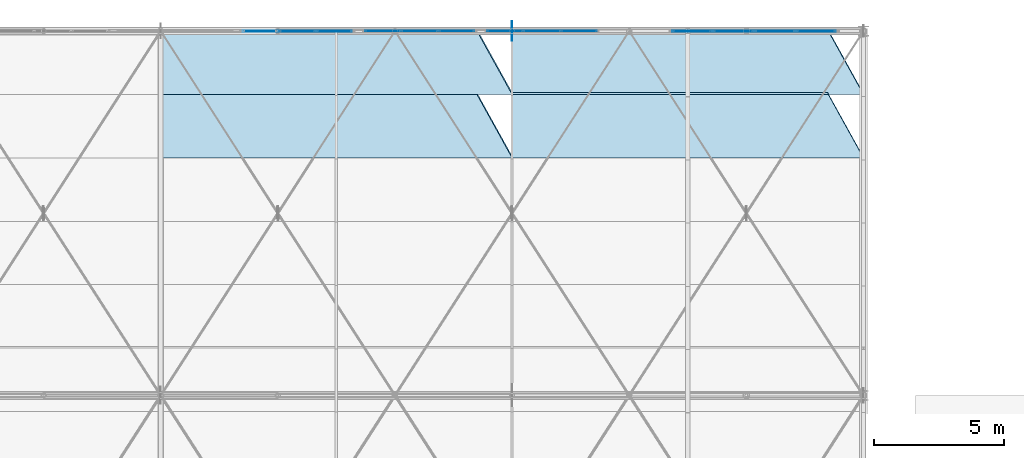
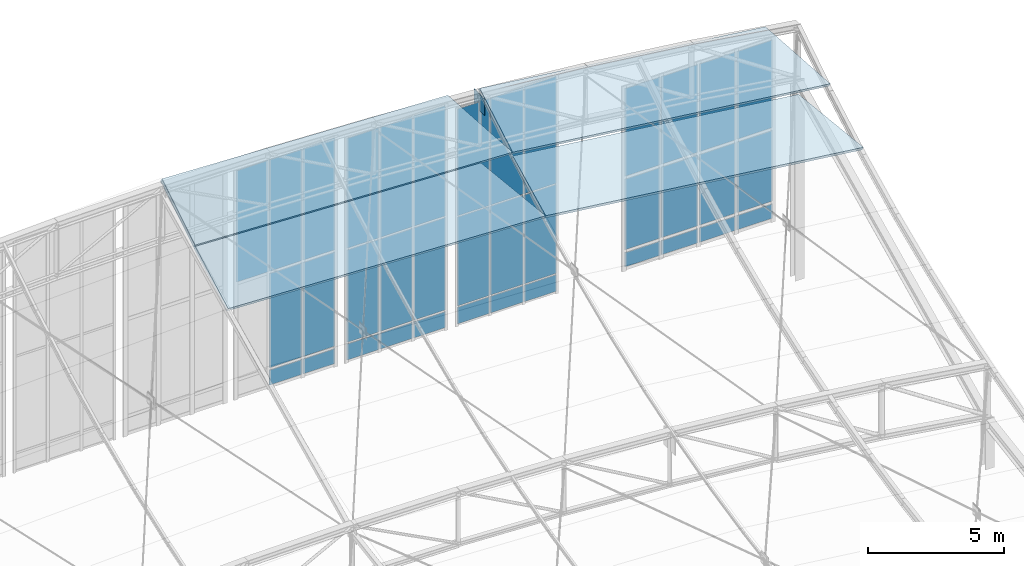
# One storey, part 237 of 262: 38 plates, 4 slabs, 4 elements without a shape of their own.
"""IFC4 building model written with IfcOpenShell, lengths in metres."""

import ifcopenshell
import ifcopenshell.guid

model = None  # the IFC model being written
_history = None  # IfcOwnerHistory: only IFC2X3 demands one
_inside = {}  # id of a spatial element -> (the spatial element, [elements in it])
_under = {}  # id of a project, library or spatial element -> (it, [spatial elements below it])
_declared = {}  # id of a project -> (the project, [libraries it declares])
_typed = {}  # id of a type object -> (the type object, [elements of that type])
_made_of = {}  # id of a material, layer set ... -> (it, [elements and type objects made of it])


def new_model(schema):
    """Start an empty IFC model of exactly this schema.

    Asked for "IFC4X3", IfcOpenShell would pick the latest addendum, in which some entities
    have other attributes; the version numbers below select the first issue.
    IFC2X3 requires an IfcOwnerHistory on every rooted entity: one is made here for all.
    """
    global model, _history
    if schema == "IFC4X3":
        model = ifcopenshell.file(schema_version=(4, 3, 0, 0))
    else:
        model = ifcopenshell.file(schema=schema)
    _inside.clear()
    _under.clear()
    _declared.clear()
    _typed.clear()
    _made_of.clear()
    _history = None
    if model.schema == "IFC2X3":
        org = make("IfcOrganization", Name="unknown")
        user = make(
            "IfcPersonAndOrganization",
            ThePerson=make("IfcPerson", FamilyName="unknown"),
            TheOrganization=org,
        )
        app = make(
            "IfcApplication",
            ApplicationDeveloper=org,
            Version="unknown",
            ApplicationFullName="unknown",
            ApplicationIdentifier="unknown",
        )
        _history = make(
            "IfcOwnerHistory",
            OwningUser=user,
            OwningApplication=app,
            ChangeAction="ADDED",
            CreationDate=0,
        )
    return model


def make(cls, **values):
    """One entity of the class cls with the attributes given. An attribute that is None is left unset."""
    return model.create_entity(
        cls, **{name: value for name, value in values.items() if value is not None}
    )


def rooted(cls, **values):
    """An entity with a GlobalId (a new one), such as an element, a storey or a relation."""
    return make(cls, GlobalId=ifcopenshell.guid.new(), OwnerHistory=_history, **values)


def si_unit(unit_type, name, prefix=None):
    """IfcSIUnit, for example si_unit("LENGTHUNIT", "METRE", prefix="MILLI")."""
    return make("IfcSIUnit", UnitType=unit_type, Prefix=prefix, Name=name)


def derived_unit(unit_type, elements):
    """IfcDerivedUnit: a product of units, each with its exponent."""
    return make(
        "IfcDerivedUnit",
        Elements=[
            make("IfcDerivedUnitElement", Unit=unit, Exponent=power)
            for unit, power in elements
        ],
        UnitType=unit_type,
    )


def assignment(units):
    """IfcUnitAssignment: the units of a project."""
    return None if units is None else make("IfcUnitAssignment", Units=units)


def point(xyz):
    """IfcCartesianPoint."""
    return None if xyz is None else make("IfcCartesianPoint", Coordinates=xyz)


def direction(xyz):
    """IfcDirection."""
    return None if xyz is None else make("IfcDirection", DirectionRatios=xyz)


def frame(location, z_axis=None, x_axis=None):
    """IfcAxis2Placement3D, a coordinate frame: its origin and axes. An axis left out is left unset."""
    return make(
        "IfcAxis2Placement3D",
        Location=point(location),
        Axis=direction(z_axis),
        RefDirection=direction(x_axis),
    )


def frame_2d(location, x_axis=None):
    """IfcAxis2Placement2D, a coordinate frame in the plane: its origin and x axis."""
    return make(
        "IfcAxis2Placement2D", Location=point(location), RefDirection=direction(x_axis)
    )


def origin():
    """The frame at (0, 0, 0) with its axes left unset."""
    return frame((0.0, 0.0, 0.0))


def origin_2d():
    """The frame at (0, 0) in the plane with its x axis left unset."""
    return frame_2d((0.0, 0.0))


def place(relative_to, where):
    """IfcLocalPlacement: puts the frame where relative to a parent placement (None: the world)."""
    return make(
        "IfcLocalPlacement", PlacementRelTo=relative_to, RelativePlacement=where
    )


def context(
    kind, dimensions, precision=None, world=None, true_north=None, identifier=None
):
    """IfcGeometricRepresentationContext, for example the 3D "Model" context."""
    return make(
        "IfcGeometricRepresentationContext",
        ContextIdentifier=identifier,
        ContextType=kind,
        CoordinateSpaceDimension=dimensions,
        Precision=precision,
        WorldCoordinateSystem=world,
        TrueNorth=true_north,
    )


def subcontext(parent, identifier, kind, view, scale=None):
    """IfcGeometricRepresentationSubContext, for example "Body" below "Model"."""
    return make(
        "IfcGeometricRepresentationSubContext",
        ContextIdentifier=identifier,
        ContextType=kind,
        ParentContext=parent,
        TargetScale=scale,
        TargetView=view,
    )


def project(units=None, contexts=None):
    """IfcProject with its units and contexts."""
    return rooted(
        "IfcProject",
        Name="project",
        RepresentationContexts=contexts,
        UnitsInContext=assignment(units),
    )


def spatial(cls, under=None, at=None, **own):
    """A site, building, storey or space (cls), placed at a placement, below another one or the project."""
    s = rooted(cls, ObjectPlacement=at, **own)
    if under is not None:
        _under.setdefault(under.id(), (under, []))[1].append(s)
    return s


def polyline(points):
    """IfcPolyline through the points."""
    return make("IfcPolyline", Points=[point(p) for p in points])


def profile(cls, at=None, kind="AREA", **sizes):
    """A parametric profile (cls). Its sizes go by their IFC names, for example OverallWidth=200.0."""
    return make(cls, ProfileType=kind, Position=at, **sizes)


def rectangle(**sizes):
    """IfcRectangleProfileDef."""
    return profile("IfcRectangleProfileDef", **sizes)


def outline(outer, holes=None, kind="AREA"):
    """IfcArbitraryClosedProfileDef: a profile drawn as a closed curve; with holes, ...WithVoids."""
    if holes is None:
        return make("IfcArbitraryClosedProfileDef", ProfileType=kind, OuterCurve=outer)
    return make(
        "IfcArbitraryProfileDefWithVoids",
        ProfileType=kind,
        OuterCurve=outer,
        InnerCurves=holes,
    )


def extrude(swept, where, along, depth):
    """IfcExtrudedAreaSolid: the profile swept, set in the frame where, extruded along a direction by depth."""
    return make(
        "IfcExtrudedAreaSolid",
        SweptArea=swept,
        Position=where,
        ExtrudedDirection=direction(along),
        Depth=depth,
    )


def shape(context_of_items, identifier, shape_type, items):
    """IfcShapeRepresentation: the items that make up one representation, for example the "Body"."""
    return make(
        "IfcShapeRepresentation",
        ContextOfItems=context_of_items,
        RepresentationIdentifier=identifier,
        RepresentationType=shape_type,
        Items=items,
    )


def material(Name=None, Category=None):
    """IfcMaterial."""
    return make("IfcMaterial", Name=Name, Category=Category)


def layer(
    of_material, thickness, ventilated=None, Name=None, Category=None, Priority=None
):
    """IfcMaterialLayer: one layer of a wall or slab, of a material (None: an air gap)."""
    return make(
        "IfcMaterialLayer",
        Material=of_material,
        LayerThickness=thickness,
        IsVentilated=ventilated,
        Name=Name,
        Category=Category,
        Priority=Priority,
    )


def layer_set(layers, Name=None):
    """IfcMaterialLayerSet."""
    return make("IfcMaterialLayerSet", MaterialLayers=layers, LayerSetName=Name)


def made_of(thing, what):
    """Note that an element or type object is made of a material, layer set ...; save() writes the relation."""
    if what is not None:
        _made_of.setdefault(what.id(), (what, []))[1].append(thing)
    return thing


def type_object(cls, material=None, **own):
    """A type object (cls), such as IfcWallType, which elements share."""
    return made_of(rooted(cls, **own), material)


def element(
    cls,
    number,
    at=None,
    inside=None,
    cuts=None,
    type_object=None,
    material=None,
    context=None,
    identifier="Body",
    shape_type=None,
    held_by="IfcProductDefinitionShape",
    body=None,
    shapes=None,
    **own,
):
    """One element of the class cls, such as IfcWall. Its Tag is "e" and its number.

    at: its placement. inside: the storey or other place that contains it. cuts: it is an
    opening in that element (IfcRelVoidsElement). A single representation is given by context,
    identifier, shape_type and body (its items); several are given by shapes. held_by: the class
    of the entity that holds the representations. save() writes the other relations.
    """
    e = rooted(cls, Tag="e%d" % number, ObjectPlacement=at, **own)
    if body is not None:
        shapes = [shape(context, identifier, shape_type, body)]
    if shapes is not None:
        e.Representation = make(held_by, Representations=shapes)
    if inside is not None:
        _inside.setdefault(inside.id(), (inside, []))[1].append(e)
    if cuts is not None:
        rooted(
            "IfcRelVoidsElement", RelatingBuildingElement=cuts, RelatedOpeningElement=e
        )
    if type_object is not None:
        _typed.setdefault(type_object.id(), (type_object, []))[1].append(e)
    return made_of(e, material)


def aggregate(whole, parts):
    """IfcRelAggregates: a whole, such as a stair, and the parts it consists of."""
    return rooted("IfcRelAggregates", RelatingObject=whole, RelatedObjects=parts)


def save(model, path):
    """Write the relations noted so far, then the file.

    IfcRelAggregates (storeys below a building ...), IfcRelContainedInSpatialStructure (elements
    in a storey), IfcRelDefinesByType, IfcRelAssociatesMaterial and IfcRelDeclares: one each for
    every whole, place, type object, material and project.
    """
    for whole, parts in _under.values():
        aggregate(whole, parts)
    for where, things in _inside.values():
        rooted(
            "IfcRelContainedInSpatialStructure",
            RelatedElements=things,
            RelatingStructure=where,
        )
    for kind, things in _typed.values():
        rooted("IfcRelDefinesByType", RelatedObjects=things, RelatingType=kind)
    for what, things in _made_of.values():
        rooted("IfcRelAssociatesMaterial", RelatedObjects=things, RelatingMaterial=what)
    for by, libraries in _declared.values():
        rooted("IfcRelDeclares", RelatingContext=by, RelatedDefinitions=libraries)
    model.write(path)


model = new_model("IFC4")

# Units and contexts
model_context = context("Model", 3, precision=1e-05, world=origin(), true_north=direction((0.0, 1.0)))
body_context = subcontext(model_context, "Body", "Model", "MODEL_VIEW")
ifc_project = project(units=[si_unit("LENGTHUNIT", "METRE"), si_unit("AREAUNIT", "SQUARE_METRE"), si_unit("VOLUMEUNIT", "CUBIC_METRE"), si_unit("PLANEANGLEUNIT", "RADIAN"), si_unit("MASSUNIT", "GRAM", prefix="KILO"), derived_unit("THERMALTRANSMITTANCEUNIT", [(si_unit("POWERUNIT", "WATT"), 1), (si_unit("LENGTHUNIT", "METRE"), -2), (si_unit("THERMODYNAMICTEMPERATUREUNIT", "KELVIN"), -1)])], contexts=[model_context])

# Site, building, storey
site_placement = place(None, origin())
site = spatial("IfcSite", under=ifc_project, at=site_placement, CompositionType="ELEMENT")
building_placement = place(site_placement, origin())
building = spatial("IfcBuilding", under=site, at=building_placement, Name="Almenara Railside Exhibition Hall", CompositionType="ELEMENT")
storey_placement = place(building_placement, frame((0.0, 0.0, 21.699951171875)))
storey = spatial("IfcBuildingStorey", under=building, at=storey_placement, Name="RF", CompositionType="ELEMENT", Elevation=21.699951171875)

# Curtain wall, plates
ifc_material_1 = material(Name="Bronze-anodised aluminium and low-E double glazing", Category="aluminium")
ifc_layer_1 = layer(ifc_material_1, 0.179931640625, Name="Bronze-anodised aluminium and low-E double glazing")
ifc_layer_set_1 = layer_set([ifc_layer_1], Name="Bronze-anodised aluminium and low-E double glazing")
curtain_wall_type_1 = type_object("IfcCurtainWallType", Name="Scroll Gable Tall Curtain Wall 3800x5400", PredefinedType="NOTDEFINED", material=ifc_layer_set_1)
curtain_wall_1_placement = place(storey_placement, origin())
curtain_wall_1 = element("IfcCurtainWall", 1, at=curtain_wall_1_placement, inside=storey, type_object=curtain_wall_type_1, Name="Curtain wall CW-G1-230", PredefinedType="NOTDEFINED")
ifc_material_2 = material(Name="Solar-control acoustic laminated glazing", Category="glass")
ifc_layer_2 = layer(ifc_material_2, 0.031982421875, Name="Solar-control acoustic laminated glazing")
ifc_layer_set_2 = layer_set([ifc_layer_2], Name="Solar-control acoustic laminated glazing")
plate_type_1 = type_object("IfcPlateType", Name="Acoustic Low-E Double Glazing Panel 32mm", PredefinedType="CURTAIN_PANEL", material=ifc_layer_set_2)
plate_1_placement = place(storey_placement, frame((173.53173828125, 132.0, -6.60595703125), z_axis=(0.0, 0.0, 1.0), x_axis=(1.0, 0.0, 0.0)))
plate_1 = element("IfcPlate", 2, at=plate_1_placement, type_object=plate_type_1, Name="CW-G1-230 panel 1.1", PredefinedType="CURTAIN_PANEL", context=body_context, shape_type="SweptSolid", body=[
    extrude(rectangle(XDim=1.359375, YDim=0.031982421875, at=origin_2d()), origin(), (0.0, 0.0, 1.0), 0.717041015625),
])
plate_2_placement = place(storey_placement, frame((173.53173828125, 132.0, -5.81103515625), z_axis=(0.0, 0.0, 1.0), x_axis=(1.0, 0.0, 0.0)))
plate_2 = element("IfcPlate", 3, at=plate_2_placement, type_object=plate_type_1, Name="CW-G1-230 panel 1.2", PredefinedType="CURTAIN_PANEL", context=body_context, shape_type="SweptSolid", body=[
    extrude(rectangle(XDim=1.359375, YDim=0.031982421875, at=origin_2d()), origin(), (0.0, 0.0, 1.0), 4.14697265625),
])
plate_3_placement = place(storey_placement, frame((173.53173828125, 132.0, -1.5859375), z_axis=(0.0, 0.0, 1.0), x_axis=(1.0, 0.0, 0.0)))
plate_3 = element("IfcPlate", 4, at=plate_3_placement, type_object=plate_type_1, Name="CW-G1-230 panel 1.3", PredefinedType="CURTAIN_PANEL", context=body_context, shape_type="SweptSolid", body=[
    extrude(rectangle(XDim=1.359375, YDim=0.031982421875, at=origin_2d()), origin(), (0.0, 0.0, 1.0), 4.94189453125),
])
plate_4_placement = place(storey_placement, frame((174.949951171875, 132.0, -6.60595703125), z_axis=(0.0, 0.0, 1.0), x_axis=(1.0, 0.0, 0.0)))
plate_4 = element("IfcPlate", 5, at=plate_4_placement, type_object=plate_type_1, Name="CW-G1-230 panel 2.1", PredefinedType="CURTAIN_PANEL", context=body_context, shape_type="SweptSolid", body=[
    extrude(rectangle(XDim=1.389404296875, YDim=0.031982421875, at=origin_2d()), origin(), (0.0, 0.0, 1.0), 0.717041015625),
])
plate_5_placement = place(storey_placement, frame((174.949951171875, 132.0, -5.81103515625), z_axis=(0.0, 0.0, 1.0), x_axis=(1.0, 0.0, 0.0)))
plate_5 = element("IfcPlate", 6, at=plate_5_placement, type_object=plate_type_1, Name="CW-G1-230 panel 2.2", PredefinedType="CURTAIN_PANEL", context=body_context, shape_type="SweptSolid", body=[
    extrude(rectangle(XDim=1.389404296875, YDim=0.031982421875, at=origin_2d()), origin(), (0.0, 0.0, 1.0), 4.14697265625),
])
plate_6_placement = place(storey_placement, frame((174.949951171875, 132.0, -1.5859375), z_axis=(0.0, 0.0, 1.0), x_axis=(1.0, 0.0, 0.0)))
plate_6 = element("IfcPlate", 7, at=plate_6_placement, type_object=plate_type_1, Name="CW-G1-230 panel 2.3", PredefinedType="CURTAIN_PANEL", context=body_context, shape_type="SweptSolid", body=[
    extrude(rectangle(XDim=1.389404296875, YDim=0.031982421875, at=origin_2d()), origin(), (0.0, 0.0, 1.0), 4.94189453125),
])
plate_7_placement = place(storey_placement, frame((176.368408203125, 132.0, -6.60595703125), z_axis=(0.0, 0.0, 1.0), x_axis=(1.0, 0.0, 0.0)))
plate_7 = element("IfcPlate", 8, at=plate_7_placement, type_object=plate_type_1, Name="CW-G1-230 panel 3.1", PredefinedType="CURTAIN_PANEL", context=body_context, shape_type="SweptSolid", body=[
    extrude(rectangle(XDim=1.359375, YDim=0.031982421875, at=origin_2d()), origin(), (0.0, 0.0, 1.0), 0.717041015625),
])
plate_8_placement = place(storey_placement, frame((176.368408203125, 132.0, -5.81103515625), z_axis=(0.0, 0.0, 1.0), x_axis=(1.0, 0.0, 0.0)))
plate_8 = element("IfcPlate", 9, at=plate_8_placement, type_object=plate_type_1, Name="CW-G1-230 panel 3.2", PredefinedType="CURTAIN_PANEL", context=body_context, shape_type="SweptSolid", body=[
    extrude(rectangle(XDim=1.359375, YDim=0.031982421875, at=origin_2d()), origin(), (0.0, 0.0, 1.0), 4.14697265625),
])
plate_9_placement = place(storey_placement, frame((176.368408203125, 132.0, -1.5859375), z_axis=(0.0, 0.0, 1.0), x_axis=(1.0, 0.0, 0.0)))
plate_9 = element("IfcPlate", 10, at=plate_9_placement, type_object=plate_type_1, Name="CW-G1-230 panel 3.3", PredefinedType="CURTAIN_PANEL", context=body_context, shape_type="SweptSolid", body=[
    extrude(rectangle(XDim=1.359375, YDim=0.031982421875, at=origin_2d()), origin(), (0.0, 0.0, 1.0), 4.94189453125),
])
aggregate(curtain_wall_1, [plate_1, plate_2, plate_3, plate_4, plate_5, plate_6, plate_7, plate_8, plate_9])

ifc_layer_3 = layer(ifc_material_1, 0.179931640625, Name="Bronze-anodised aluminium and low-E double glazing")
ifc_layer_set_3 = layer_set([ifc_layer_3], Name="Bronze-anodised aluminium and low-E double glazing")
curtain_wall_type_2 = type_object("IfcCurtainWallType", Name="Scroll Gable Standard Curtain Wall 3600x5000", PredefinedType="NOTDEFINED", material=ifc_layer_set_3)
curtain_wall_2_placement = place(storey_placement, origin())
curtain_wall_2 = element("IfcCurtainWall", 11, at=curtain_wall_2_placement, inside=storey, type_object=curtain_wall_type_2, Name="Curtain wall CW-G2-224", PredefinedType="NOTDEFINED")
ifc_material_3 = material(Name="Bronze-anodised insulated aluminium spandrel", Category="aluminium")
ifc_layer_4 = layer(ifc_material_3, 0.034912109375, Name="Bronze-anodised insulated aluminium spandrel")
ifc_layer_set_4 = layer_set([ifc_layer_4], Name="Bronze-anodised insulated aluminium spandrel")
plate_type_2 = type_object("IfcPlateType", Name="Insulated Stucco-Tone Spandrel Panel 35mm", PredefinedType="CURTAIN_PANEL", material=ifc_layer_set_4)
plate_10_placement = place(storey_placement, frame((185.41748046875, 132.0, -6.555908203125), z_axis=(0.0, 0.0, 1.0), x_axis=(1.0, 0.0, 0.0)))
plate_10 = element("IfcPlate", 12, at=plate_10_placement, type_object=plate_type_2, Name="CW-G2-224 panel 1.1", PredefinedType="CURTAIN_PANEL", context=body_context, shape_type="SweptSolid", body=[
    extrude(rectangle(XDim=1.510986328125, YDim=0.034912109375, at=origin_2d()), origin(), (0.0, 0.0, 1.0), 0.64208984375),
])
plate_11_placement = place(storey_placement, frame((185.41748046875, 132.0, -5.7861328125), z_axis=(0.0, 0.0, 1.0), x_axis=(1.0, 0.0, 0.0)))
plate_11 = element("IfcPlate", 13, at=plate_11_placement, type_object=plate_type_2, Name="CW-G2-224 panel 1.2", PredefinedType="CURTAIN_PANEL", context=body_context, shape_type="SweptSolid", body=[
    extrude(rectangle(XDim=1.510986328125, YDim=0.034912109375, at=origin_2d()), origin(), (0.0, 0.0, 1.0), 3.172119140625),
])
plate_12_placement = place(storey_placement, frame((185.41748046875, 132.0, -2.48583984375), z_axis=(0.0, 0.0, 1.0), x_axis=(1.0, 0.0, 0.0)))
plate_12 = element("IfcPlate", 14, at=plate_12_placement, type_object=plate_type_2, Name="CW-G2-224 panel 1.3", PredefinedType="CURTAIN_PANEL", context=body_context, shape_type="SweptSolid", body=[
    extrude(rectangle(XDim=1.510986328125, YDim=0.034912109375, at=origin_2d()), origin(), (0.0, 0.0, 1.0), 3.94189453125),
])
plate_13_placement = place(storey_placement, frame((187.0, 132.0, -6.555908203125), z_axis=(0.0, 0.0, 1.0), x_axis=(1.0, 0.0, 0.0)))
plate_13 = element("IfcPlate", 15, at=plate_13_placement, type_object=plate_type_2, Name="CW-G2-224 panel 2.1", PredefinedType="CURTAIN_PANEL", context=body_context, shape_type="SweptSolid", body=[
    extrude(rectangle(XDim=1.5458984375, YDim=0.034912109375, at=origin_2d()), origin(), (0.0, 0.0, 1.0), 0.64208984375),
])
plate_14_placement = place(storey_placement, frame((187.0, 132.0, -5.7861328125), z_axis=(0.0, 0.0, 1.0), x_axis=(1.0, 0.0, 0.0)))
plate_14 = element("IfcPlate", 16, at=plate_14_placement, type_object=plate_type_2, Name="CW-G2-224 panel 2.2", PredefinedType="CURTAIN_PANEL", context=body_context, shape_type="SweptSolid", body=[
    extrude(rectangle(XDim=1.5458984375, YDim=0.034912109375, at=origin_2d()), origin(), (0.0, 0.0, 1.0), 3.172119140625),
])
plate_15_placement = place(storey_placement, frame((187.0, 132.0, -2.48583984375), z_axis=(0.0, 0.0, 1.0), x_axis=(1.0, 0.0, 0.0)))
plate_15 = element("IfcPlate", 17, at=plate_15_placement, type_object=plate_type_2, Name="CW-G2-224 panel 2.3", PredefinedType="CURTAIN_PANEL", context=body_context, shape_type="SweptSolid", body=[
    extrude(rectangle(XDim=1.5458984375, YDim=0.034912109375, at=origin_2d()), origin(), (0.0, 0.0, 1.0), 3.94189453125),
])
plate_16_placement = place(storey_placement, frame((188.60009765625, 132.0, -6.555908203125), z_axis=(0.0, 0.0, 1.0), x_axis=(1.0, 0.0, 0.0)))
plate_16 = element("IfcPlate", 18, at=plate_16_placement, type_object=plate_type_2, Name="CW-G2-224 panel 3.1", PredefinedType="CURTAIN_PANEL", context=body_context, shape_type="SweptSolid", body=[
    extrude(rectangle(XDim=1.5458984375, YDim=0.034912109375, at=origin_2d()), origin(), (0.0, 0.0, 1.0), 0.64208984375),
])
plate_17_placement = place(storey_placement, frame((188.60009765625, 132.0, -5.7861328125), z_axis=(0.0, 0.0, 1.0), x_axis=(1.0, 0.0, 0.0)))
plate_17 = element("IfcPlate", 19, at=plate_17_placement, type_object=plate_type_2, Name="CW-G2-224 panel 3.2", PredefinedType="CURTAIN_PANEL", context=body_context, shape_type="SweptSolid", body=[
    extrude(rectangle(XDim=1.5458984375, YDim=0.034912109375, at=origin_2d()), origin(), (0.0, 0.0, 1.0), 3.172119140625),
])
plate_18_placement = place(storey_placement, frame((188.60009765625, 132.0, -2.48583984375), z_axis=(0.0, 0.0, 1.0), x_axis=(1.0, 0.0, 0.0)))
plate_18 = element("IfcPlate", 20, at=plate_18_placement, type_object=plate_type_2, Name="CW-G2-224 panel 3.3", PredefinedType="CURTAIN_PANEL", context=body_context, shape_type="SweptSolid", body=[
    extrude(rectangle(XDim=1.5458984375, YDim=0.034912109375, at=origin_2d()), origin(), (0.0, 0.0, 1.0), 3.94189453125),
])
plate_19_placement = place(storey_placement, frame((190.1826171875, 132.0, -6.555908203125), z_axis=(0.0, 0.0, 1.0), x_axis=(1.0, 0.0, 0.0)))
plate_19 = element("IfcPlate", 21, at=plate_19_placement, type_object=plate_type_2, Name="CW-G2-224 panel 4.1", PredefinedType="CURTAIN_PANEL", context=body_context, shape_type="SweptSolid", body=[
    extrude(rectangle(XDim=1.510986328125, YDim=0.034912109375, at=origin_2d()), origin(), (0.0, 0.0, 1.0), 0.64208984375),
])
plate_20_placement = place(storey_placement, frame((190.1826171875, 132.0, -5.7861328125), z_axis=(0.0, 0.0, 1.0), x_axis=(1.0, 0.0, 0.0)))
plate_20 = element("IfcPlate", 22, at=plate_20_placement, type_object=plate_type_2, Name="CW-G2-224 panel 4.2", PredefinedType="CURTAIN_PANEL", context=body_context, shape_type="SweptSolid", body=[
    extrude(rectangle(XDim=1.510986328125, YDim=0.034912109375, at=origin_2d()), origin(), (0.0, 0.0, 1.0), 3.172119140625),
])
plate_21_placement = place(storey_placement, frame((190.1826171875, 132.0, -2.48583984375), z_axis=(0.0, 0.0, 1.0), x_axis=(1.0, 0.0, 0.0)))
plate_21 = element("IfcPlate", 23, at=plate_21_placement, type_object=plate_type_2, Name="CW-G2-224 panel 4.3", PredefinedType="CURTAIN_PANEL", context=body_context, shape_type="SweptSolid", body=[
    extrude(rectangle(XDim=1.510986328125, YDim=0.034912109375, at=origin_2d()), origin(), (0.0, 0.0, 1.0), 3.94189453125),
])
aggregate(curtain_wall_2, [plate_10, plate_11, plate_12, plate_13, plate_14, plate_15, plate_16, plate_17, plate_18, plate_19, plate_20, plate_21])

curtain_wall_3_placement = place(storey_placement, origin())
curtain_wall_3 = element("IfcCurtainWall", 24, at=curtain_wall_3_placement, inside=storey, type_object=curtain_wall_type_1, Name="Curtain wall CW-G1-229", PredefinedType="NOTDEFINED")
plate_22_placement = place(storey_placement, frame((168.8330078125, 132.0, -1.4609375), z_axis=(0.0, 0.0, 1.0), x_axis=(1.0, 0.0, 0.0)))
plate_22 = element("IfcPlate", 25, at=plate_22_placement, type_object=plate_type_2, Name="CW-G1-229 panel 1.3", PredefinedType="CURTAIN_PANEL", context=body_context, shape_type="SweptSolid", body=[
    extrude(rectangle(XDim=1.351806640625, YDim=0.034912109375, at=origin_2d()), origin(), (0.0, 0.0, 1.0), 5.007080078125),
])
plate_23_placement = place(storey_placement, frame((170.25, 132.0, -6.576171875), z_axis=(0.0, 0.0, 1.0), x_axis=(1.0, 0.0, 0.0)))
plate_23 = element("IfcPlate", 26, at=plate_23_placement, type_object=plate_type_2, Name="CW-G1-229 panel 2.1", PredefinedType="CURTAIN_PANEL", context=body_context, shape_type="SweptSolid", body=[
    extrude(rectangle(XDim=1.38427734375, YDim=0.034912109375, at=origin_2d()), origin(), (0.0, 0.0, 1.0), 0.672119140625),
])
plate_24_placement = place(storey_placement, frame((170.25, 132.0, -5.7958984375), z_axis=(0.0, 0.0, 1.0), x_axis=(1.0, 0.0, 0.0)))
plate_24 = element("IfcPlate", 27, at=plate_24_placement, type_object=plate_type_2, Name="CW-G1-229 panel 2.2", PredefinedType="CURTAIN_PANEL", context=body_context, shape_type="SweptSolid", body=[
    extrude(rectangle(XDim=1.38427734375, YDim=0.034912109375, at=origin_2d()), origin(), (0.0, 0.0, 1.0), 4.22705078125),
])
plate_25_placement = place(storey_placement, frame((170.25, 132.0, -1.4609375), z_axis=(0.0, 0.0, 1.0), x_axis=(1.0, 0.0, 0.0)))
plate_25 = element("IfcPlate", 28, at=plate_25_placement, type_object=plate_type_2, Name="CW-G1-229 panel 2.3", PredefinedType="CURTAIN_PANEL", context=body_context, shape_type="SweptSolid", body=[
    extrude(rectangle(XDim=1.38427734375, YDim=0.034912109375, at=origin_2d()), origin(), (0.0, 0.0, 1.0), 5.007080078125),
])
plate_26_placement = place(storey_placement, frame((171.6669921875, 132.0, -6.576171875), z_axis=(0.0, 0.0, 1.0), x_axis=(1.0, 0.0, 0.0)))
plate_26 = element("IfcPlate", 29, at=plate_26_placement, type_object=plate_type_2, Name="CW-G1-229 panel 3.1", PredefinedType="CURTAIN_PANEL", context=body_context, shape_type="SweptSolid", body=[
    extrude(rectangle(XDim=1.351806640625, YDim=0.034912109375, at=origin_2d()), origin(), (0.0, 0.0, 1.0), 0.672119140625),
])
plate_27_placement = place(storey_placement, frame((171.6669921875, 132.0, -5.7958984375), z_axis=(0.0, 0.0, 1.0), x_axis=(1.0, 0.0, 0.0)))
plate_27 = element("IfcPlate", 30, at=plate_27_placement, type_object=plate_type_2, Name="CW-G1-229 panel 3.2", PredefinedType="CURTAIN_PANEL", context=body_context, shape_type="SweptSolid", body=[
    extrude(rectangle(XDim=1.351806640625, YDim=0.034912109375, at=origin_2d()), origin(), (0.0, 0.0, 1.0), 4.22705078125),
])
plate_28_placement = place(storey_placement, frame((171.6669921875, 132.0, -1.4609375), z_axis=(0.0, 0.0, 1.0), x_axis=(1.0, 0.0, 0.0)))
plate_28 = element("IfcPlate", 31, at=plate_28_placement, type_object=plate_type_2, Name="CW-G1-229 panel 3.3", PredefinedType="CURTAIN_PANEL", context=body_context, shape_type="SweptSolid", body=[
    extrude(rectangle(XDim=1.351806640625, YDim=0.034912109375, at=origin_2d()), origin(), (0.0, 0.0, 1.0), 5.007080078125),
])
aggregate(curtain_wall_3, [plate_22, plate_23, plate_24, plate_25, plate_26, plate_27, plate_28])

curtain_wall_4_placement = place(storey_placement, origin())
curtain_wall_4 = element("IfcCurtainWall", 32, at=curtain_wall_4_placement, inside=storey, type_object=curtain_wall_type_1, Name="Curtain wall CW-G1-231", PredefinedType="NOTDEFINED")
ifc_material_4 = material(Name="Solar-control low-E laminated double glazing", Category="glass")
ifc_layer_5 = layer(ifc_material_4, 0.028076171875, Name="Solar-control low-E laminated double glazing")
ifc_layer_set_5 = layer_set([ifc_layer_5], Name="Solar-control low-E laminated double glazing")
plate_type_3 = type_object("IfcPlateType", Name="Low-E Solar Control Double Glazing Panel 28mm", PredefinedType="CURTAIN_PANEL", material=ifc_layer_set_5)
plate_29_placement = place(storey_placement, frame((178.23046875, 132.0, -6.6259765625), z_axis=(0.0, 0.0, 1.0), x_axis=(1.0, 0.0, 0.0)))
plate_29 = element("IfcPlate", 33, at=plate_29_placement, type_object=plate_type_3, Name="CW-G1-231 panel 1.1", PredefinedType="CURTAIN_PANEL", context=body_context, shape_type="SweptSolid", body=[
    extrude(rectangle(XDim=1.366943359375, YDim=0.028076171875, at=origin_2d()), origin(), (0.0, 0.0, 1.0), 0.7470703125),
])
plate_30_placement = place(storey_placement, frame((178.23046875, 132.0, -5.82080078125), z_axis=(0.0, 0.0, 1.0), x_axis=(1.0, 0.0, 0.0)))
plate_30 = element("IfcPlate", 34, at=plate_30_placement, type_object=plate_type_3, Name="CW-G1-231 panel 1.2", PredefinedType="CURTAIN_PANEL", context=body_context, shape_type="SweptSolid", body=[
    extrude(rectangle(XDim=1.366943359375, YDim=0.028076171875, at=origin_2d()), origin(), (0.0, 0.0, 1.0), 3.991943359375),
])
plate_31_placement = place(storey_placement, frame((178.23046875, 132.0, -1.77099609375), z_axis=(0.0, 0.0, 1.0), x_axis=(1.0, 0.0, 0.0)))
plate_31 = element("IfcPlate", 35, at=plate_31_placement, type_object=plate_type_3, Name="CW-G1-231 panel 1.3", PredefinedType="CURTAIN_PANEL", context=body_context, shape_type="SweptSolid", body=[
    extrude(rectangle(XDim=1.366943359375, YDim=0.028076171875, at=origin_2d()), origin(), (0.0, 0.0, 1.0), 4.797119140625),
])
plate_32_placement = place(storey_placement, frame((179.64990234375, 132.0, -6.6259765625), z_axis=(0.0, 0.0, 1.0), x_axis=(1.0, 0.0, 0.0)))
plate_32 = element("IfcPlate", 36, at=plate_32_placement, type_object=plate_type_3, Name="CW-G1-231 panel 2.1", PredefinedType="CURTAIN_PANEL", context=body_context, shape_type="SweptSolid", body=[
    extrude(rectangle(XDim=1.394287109375, YDim=0.028076171875, at=origin_2d()), origin(), (0.0, 0.0, 1.0), 0.7470703125),
])
plate_33_placement = place(storey_placement, frame((179.64990234375, 132.0, -5.82080078125), z_axis=(0.0, 0.0, 1.0), x_axis=(1.0, 0.0, 0.0)))
plate_33 = element("IfcPlate", 37, at=plate_33_placement, type_object=plate_type_3, Name="CW-G1-231 panel 2.2", PredefinedType="CURTAIN_PANEL", context=body_context, shape_type="SweptSolid", body=[
    extrude(rectangle(XDim=1.394287109375, YDim=0.028076171875, at=origin_2d()), origin(), (0.0, 0.0, 1.0), 3.991943359375),
])
plate_34_placement = place(storey_placement, frame((179.64990234375, 132.0, -1.77099609375), z_axis=(0.0, 0.0, 1.0), x_axis=(1.0, 0.0, 0.0)))
plate_34 = element("IfcPlate", 38, at=plate_34_placement, type_object=plate_type_3, Name="CW-G1-231 panel 2.3", PredefinedType="CURTAIN_PANEL", context=body_context, shape_type="SweptSolid", body=[
    extrude(rectangle(XDim=1.394287109375, YDim=0.028076171875, at=origin_2d()), origin(), (0.0, 0.0, 1.0), 4.797119140625),
])
plate_35_placement = place(storey_placement, frame((181.069580078125, 132.0, -6.6259765625), z_axis=(0.0, 0.0, 1.0), x_axis=(1.0, 0.0, 0.0)))
plate_35 = element("IfcPlate", 39, at=plate_35_placement, type_object=plate_type_3, Name="CW-G1-231 panel 3.1", PredefinedType="CURTAIN_PANEL", context=body_context, shape_type="SweptSolid", body=[
    extrude(rectangle(XDim=1.366943359375, YDim=0.028076171875, at=origin_2d()), origin(), (0.0, 0.0, 1.0), 0.7470703125),
])
plate_36_placement = place(storey_placement, frame((181.069580078125, 132.0, -5.82080078125), z_axis=(0.0, 0.0, 1.0), x_axis=(1.0, 0.0, 0.0)))
plate_36 = element("IfcPlate", 40, at=plate_36_placement, type_object=plate_type_3, Name="CW-G1-231 panel 3.2", PredefinedType="CURTAIN_PANEL", context=body_context, shape_type="SweptSolid", body=[
    extrude(rectangle(XDim=1.366943359375, YDim=0.028076171875, at=origin_2d()), origin(), (0.0, 0.0, 1.0), 3.991943359375),
])
plate_37_placement = place(storey_placement, frame((181.069580078125, 132.0, -1.77099609375), z_axis=(0.0, 0.0, 1.0), x_axis=(1.0, 0.0, 0.0)))
plate_37 = element("IfcPlate", 41, at=plate_37_placement, type_object=plate_type_3, Name="CW-G1-231 panel 3.3", PredefinedType="CURTAIN_PANEL", context=body_context, shape_type="SweptSolid", body=[
    extrude(rectangle(XDim=1.366943359375, YDim=0.028076171875, at=origin_2d()), origin(), (0.0, 0.0, 1.0), 4.797119140625),
])
aggregate(curtain_wall_4, [plate_29, plate_30, plate_31, plate_32, plate_33, plate_34, plate_35, plate_36, plate_37])

# Slabs
ifc_material_5 = material(Name="White standing-seam insulated steel S355JR roof deck", Category="steel")
ifc_layer_6 = layer(ifc_material_5, 0.179931640625, Name="White standing-seam insulated steel S355JR roof deck")
ifc_layer_set_6 = layer_set([ifc_layer_6], Name="White standing-seam insulated steel S355JR roof deck")
slab_type = type_object("IfcSlabType", Name="Scroll Tip Standing-Seam Cassette 180mm S355JR", PredefinedType="ROOF", material=ifc_layer_set_6)
slab_1_placement = place(storey_placement, frame((165.0, 127.126708984375, 1.402587890625), z_axis=(0.035778705785, -0.476830277923, 0.878266912885), x_axis=(0.999171185047, -2.723024e-06, -0.040705564281)))
element("IfcSlab", 42, at=slab_1_placement, inside=storey, type_object=slab_type, Name="V2 roof cassette RC-V2-27C", PredefinedType="ROOF", context=body_context, shape_type="SweptSolid", body=[
    extrude(outline(polyline([(0.0, 0.0), (13.511201046071674, 0.0), (12.106126330764315, 2.7719786083306945), (-0.05385007887181834, 2.771899082044397), (0.0, 0.0)])), origin(), (0.0, 0.0, -1.0), 0.179931640625),
])
slab_2_placement = place(storey_placement, frame((178.5, 127.126708984375, 0.8525390625), z_axis=(0.108768730991, -0.442958323309, 0.889919820529), x_axis=(0.992613606264, 3.161535e-06, -0.121318706921)))
element("IfcSlab", 43, at=slab_2_placement, inside=storey, type_object=slab_type, Name="V2 roof cassette RC-V2-27D", PredefinedType="ROOF", context=body_context, shape_type="SweptSolid", body=[
    extrude(outline(polyline([(0.0, 0.0), (13.600447703457743, 0.0), (12.09319107414251, 2.717646969885783), (-0.14713861910691836, 2.717738093901671), (0.0, 0.0)])), origin(), (0.0, 0.0, -1.0), 0.179931640625),
])
slab_3_placement = place(storey_placement, frame((165.0, 129.563232421875, 2.780517578125), z_axis=(0.034649913091, -0.525060039266, 0.850359534955), x_axis=(0.999170892081, 1.34308e-06, -0.040712754962)))
element("IfcSlab", 44, at=slab_3_placement, inside=storey, type_object=slab_type, Name="V2 roof cassette RC-V2-28C", PredefinedType="ROOF", context=body_context, shape_type="SweptSolid", body=[
    extrude(outline(polyline([(0.0, 0.0), (13.511201046247784, -5.551115123125783e-17), (12.09873163545106, 2.863178239860969), (-0.06125471278074916, 2.863218751976632), (0.0, 0.0)])), origin(), (0.0, 0.0, -1.0), 0.179931640625),
])
slab_4_placement = place(storey_placement, frame((178.5, 129.563232421875, 2.23046875), z_axis=(0.105485715406, -0.493965563975, 0.863058969858), x_axis=(0.992613124951, -4.233679e-06, -0.121322644866)))
element("IfcSlab", 45, at=slab_4_placement, inside=storey, type_object=slab_type, Name="V2 roof cassette RC-V2-28D", PredefinedType="ROOF", context=body_context, shape_type="SweptSolid", body=[
    extrude(outline(polyline([(0.0, 0.0), (13.60047732273788, 0.0), (12.071101537734075, 2.8026114133155717), (-0.16919853608955404, 2.8024855894054186), (0.0, 0.0)])), origin(), (0.0, 0.0, -1.0), 0.179931640625),
])

# Plate
ifc_material_6 = material(Name="Structural steel S355JR", Category="steel")
ifc_layer_7 = layer(ifc_material_6, 0.02392578125, Name="Structural steel S355JR")
ifc_layer_set_7 = layer_set([ifc_layer_7], Name="Structural steel S355JR")
plate_type_4 = type_object("IfcPlateType", Name="Truss Node Gusset Plate 24mm S355JR", PredefinedType="USERDEFINED", material=ifc_layer_set_7)
plate_38_placement = place(storey_placement, frame((178.5, 132.0, 2.625), z_axis=(0.0, 0.0, 1.0), x_axis=(0.0, 1.0, 0.0)))
element("IfcPlate", 46, at=plate_38_placement, inside=storey, type_object=plate_type_4, Name="PLT-GUS-0151", ObjectType="GUSSET_PLATE", PredefinedType="USERDEFINED", context=body_context, shape_type="SweptSolid", body=[
    extrude(rectangle(XDim=0.75, YDim=0.02392578125, at=origin_2d()), origin(), (0.0, 0.0, 1.0), 0.75),
])

save(model, "model.ifc")
